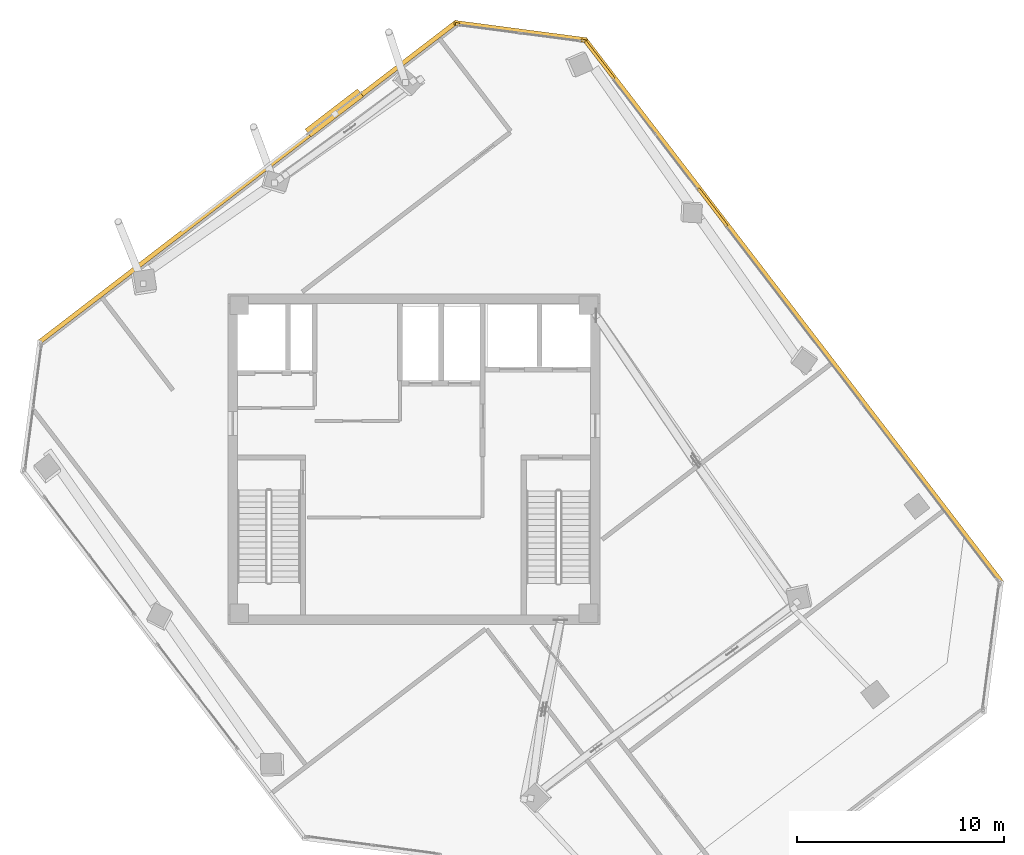
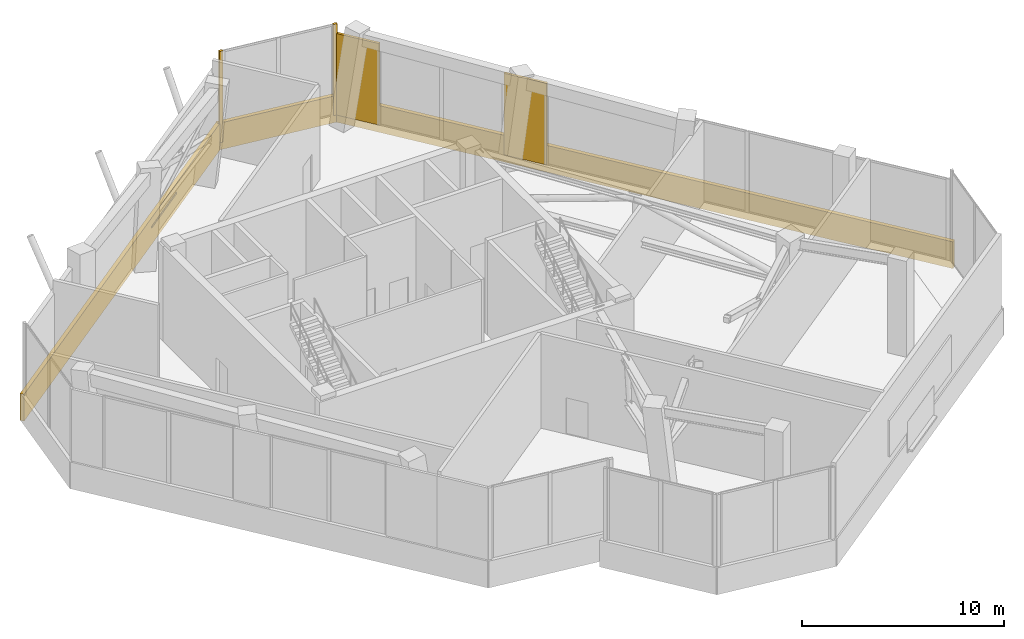
# One storey, part 19 of 19: 7 coverings, 1 shading device.
"""IFC4 building model written with IfcOpenShell, lengths in metres."""

from ifc_helpers import new_model, si_unit, direction, frame, origin, origin_2d, place, context, subcontext, project, spatial, rectangle, extrude, source, transform, mapped, material, layer, layer_set, type_object, element, save


model = new_model("IFC4")

# Units and contexts
model_context = context("Model", 3, precision=1e-05, world=origin(), true_north=direction((0.0, 1.0)))
body_context = subcontext(model_context, "Body", "Model", "MODEL_VIEW")
ifc_project = project(units=[si_unit("LENGTHUNIT", "METRE"), si_unit("AREAUNIT", "SQUARE_METRE"), si_unit("VOLUMEUNIT", "CUBIC_METRE"), si_unit("PLANEANGLEUNIT", "RADIAN"), si_unit("MASSUNIT", "GRAM", prefix="KILO")], contexts=[model_context])

# Site, building, storey
site_placement = place(None, origin())
site = spatial("IfcSite", under=ifc_project, at=site_placement, CompositionType="ELEMENT")
building_placement = place(site_placement, origin())
building = spatial("IfcBuilding", under=site, at=building_placement, Name="Torre Montelarca", CompositionType="ELEMENT")
storey_placement = place(building_placement, frame((0.0, 0.0, 287.800048828125)))
storey = spatial("IfcBuildingStorey", under=building, at=storey_placement, Name="L65", CompositionType="ELEMENT", Elevation=287.800048828125)

# Coverings
ifc_material_1 = material(Name="Bush-hammered warm white precast concrete C45/55", Category="concrete")
ifc_layer_1 = layer(ifc_material_1, 0.139892578125, Name="Bush-hammered warm white precast concrete C45/55", Category="concrete")
ifc_layer_set_1 = layer_set([ifc_layer_1], Name="Bush-hammered warm white precast concrete C45/55")
covering_type = type_object("IfcCoveringType", Name="COV-TRAY-CLAD", PredefinedType="CLADDING", material=ifc_layer_set_1)
shared_shape_1 = source(origin(), body_context, "Body", "SweptSolid", [
    extrude(rectangle(XDim=6.48388671875, YDim=0.219970703125, at=origin_2d()), origin(), (0.0, 0.0, 1.0), 1.6201171875),
])
covering_1_placement = place(storey_placement, frame((23.157958984375, 52.7197265625, -0.4501953125), z_axis=(0.0, 0.0, 1.0), x_axis=(-0.991444177927, 0.130531383411, 0.0)))
element("IfcCovering", 1, at=covering_1_placement, inside=storey, type_object=covering_type, Name="L65 Architectural White Spandrel Tray Band TRYBOT-09", PredefinedType="CLADDING", context=body_context, shape_type="MappedRepresentation", body=[
    mapped(shared_shape_1, transform((0.0, 0.0, 0.0), scale=1.0)),
])
shared_shape_2 = source(origin(), body_context, "Body", "SweptSolid", [
    extrude(rectangle(XDim=25.52001953125, YDim=0.219970703125, at=origin_2d()), origin(), (0.0, 0.0, 1.0), 1.6201171875),
])
covering_2_placement = place(storey_placement, frame((9.949951171875, 45.409912109375, -0.4501953125), z_axis=(0.0, 0.0, 1.0), x_axis=(-0.793352277801, -0.608762813671, 0.0)))
element("IfcCovering", 2, at=covering_2_placement, inside=storey, type_object=covering_type, Name="L65 Architectural White Spandrel Tray Band TRYBOT-10", PredefinedType="CLADDING", context=body_context, shape_type="MappedRepresentation", body=[
    mapped(shared_shape_2, transform((0.0, 0.0, 0.0), scale=1.0)),
])

# Shading device
ifc_material_2 = material(Name="Anodised champagne bronze aluminium AA 6063-T6", Category="aluminium")
ifc_layer_2 = layer(ifc_material_2, 0.070068359375, Name="Anodised champagne bronze aluminium AA 6063-T6", Category="aluminium")
ifc_layer_set_2 = layer_set([ifc_layer_2], Name="Anodised champagne bronze aluminium AA 6063-T6")
shading_device_type = type_object("IfcShadingDeviceType", Name="SHD-SUNSHADE-1", PredefinedType="USERDEFINED", material=ifc_layer_set_2)
shared_shape_3 = source(origin(), body_context, "Body", "SweptSolid", [
    extrude(rectangle(XDim=3.199951171875, YDim=0.47998046875, at=origin_2d()), origin(), (0.0, 0.0, 1.0), 0.10009765625),
])
shading_device_placement = place(storey_placement, frame((14.14111328125, 48.7646484375, 0.56982421875), z_axis=(0.0, 0.0, 1.0), x_axis=(-0.793352277801, -0.608762813671, 0.0)))
element("IfcShadingDevice", 3, at=shading_device_placement, inside=storey, type_object=shading_device_type, Name="L65 Facade Solar Shading Device E10", ObjectType="SUNSHADE", PredefinedType="USERDEFINED", context=body_context, shape_type="MappedRepresentation", body=[
    mapped(shared_shape_3, transform((0.0, 0.0, 0.0), scale=1.0)),
])

# Coverings
shared_shape_4 = source(origin(), body_context, "Body", "SweptSolid", [
    extrude(rectangle(XDim=33.219970703125, YDim=0.219970703125, at=origin_2d()), origin(), (0.0, 0.0, 1.0), 1.6201171875),
])
covering_3_placement = place(storey_placement, frame((36.367919921875, 39.185791015625, -0.4501953125), z_axis=(0.0, 0.0, 1.0), x_axis=(-0.608761429009, 0.793353340291, 0.0)))
element("IfcCovering", 4, at=covering_3_placement, inside=storey, type_object=covering_type, Name="L65 Architectural White Spandrel Tray Band TRYBOT-08", PredefinedType="CLADDING", context=body_context, shape_type="MappedRepresentation", body=[
    mapped(shared_shape_4, transform((0.0, 0.0, 0.0), scale=1.0)),
])
shared_shape_5 = source(origin(), body_context, "Body", "SweptSolid", [
    extrude(rectangle(XDim=0.199951171875, YDim=0.139892578125, at=origin_2d()), origin(), (0.0, 0.0, 1.0), 5.52001953125),
])
for number, where, z_axis, x_axis, name in (
    (5, (26.18994140625, 52.260009765625, 0.0), (0.0, 0.0, 1.0), (-0.991444177927, 0.130531383411, 0.0), "L65 Architectural Column Pier Cladding E09-1"),
    (6, (20.1103515625, 53.060546875, 0.0), (0.0, 0.0, 1.0), (-0.991444177927, 0.130531383411, 0.0), "L65 Architectural Column Pier Cladding E09-2"),
):
    element("IfcCovering", number, at=place(storey_placement, frame(where, z_axis=z_axis, x_axis=x_axis)), inside=storey, type_object=covering_type, Name=name, PredefinedType="CLADDING", context=body_context, shape_type="MappedRepresentation", body=[
        mapped(shared_shape_5, transform((0.0, 0.0, 0.0), scale=1.0)),
    ])
shared_shape_6 = source(origin(), body_context, "Body", "SweptSolid", [
    extrude(rectangle(XDim=2.2919921875, YDim=0.139892578125, at=origin_2d()), origin(), (0.0, 0.0, 1.0), 4.93505859375),
])
covering_4_placement = place(storey_placement, frame((32.45361328125, 44.188720703125, 0.0), z_axis=(0.0, 0.0, 1.0), x_axis=(-0.608762813671, 0.793352277801, 0.0)))
element("IfcCovering", 7, at=covering_4_placement, inside=storey, type_object=covering_type, Name="L65 Architectural Column Pier Cladding E08-2", PredefinedType="CLADDING", context=body_context, shape_type="MappedRepresentation", body=[
    mapped(shared_shape_6, transform((0.0, 0.0, 0.0), scale=1.0)),
])
shared_shape_7 = source(origin(), body_context, "Body", "SweptSolid", [
    extrude(rectangle(XDim=2.3369140625, YDim=0.139892578125, at=origin_2d()), origin(), (0.0, 0.0, 1.0), 4.93505859375),
])
covering_5_placement = place(storey_placement, frame((26.96630859375, 51.33984375, 0.0), z_axis=(0.0, 0.0, 1.0), x_axis=(-0.608762813671, 0.793352277801, 0.0)))
element("IfcCovering", 8, at=covering_5_placement, inside=storey, type_object=covering_type, Name="L65 Architectural Column Pier Cladding E08-3", PredefinedType="CLADDING", context=body_context, shape_type="MappedRepresentation", body=[
    mapped(shared_shape_7, transform((0.0, 0.0, 0.0), scale=1.0)),
])

save(model, "model.ifc")
